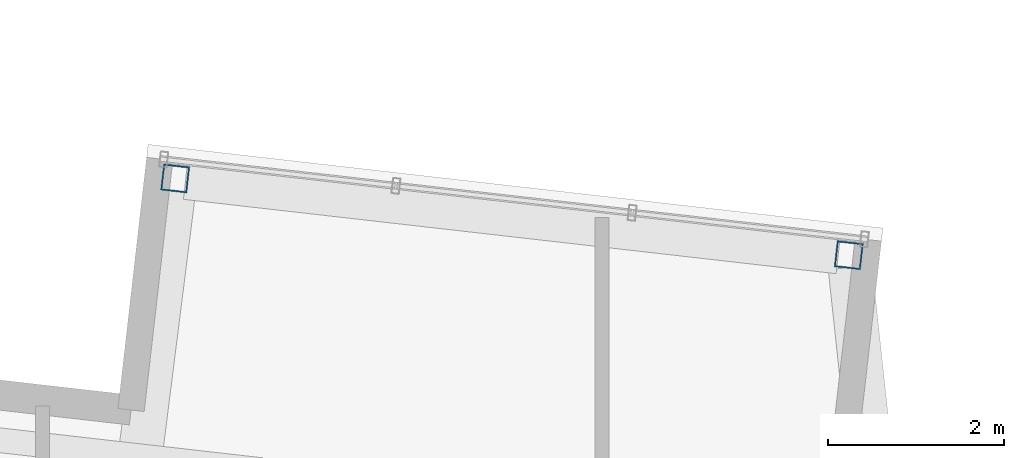
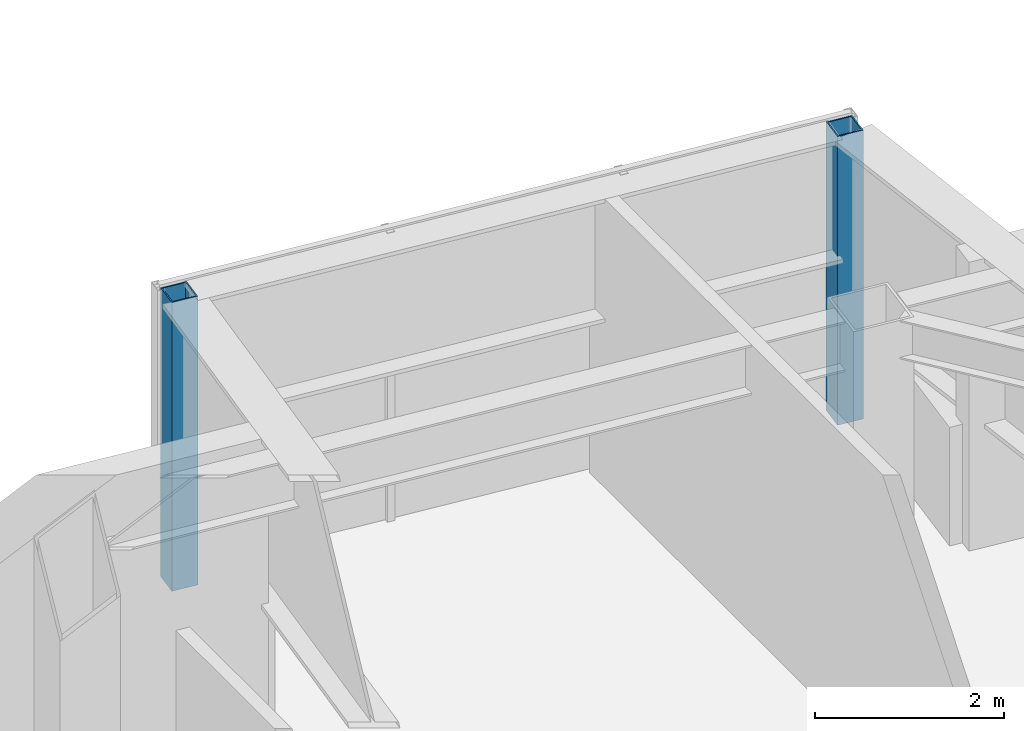
# One storey, part 2 of 23: 2 columns.
"""IFC4 building model written with IfcOpenShell, lengths in metres."""

from ifc_helpers import new_model, si_unit, direction, frame, origin, origin_2d, place, context, subcontext, project, spatial, hollow_rectangle, extrude, material, material_profile, profile_set, type_object, element, save


model = new_model("IFC4")

# Units and contexts
model_context = context("Model", 3, precision=1e-05, world=origin(), true_north=direction((0.0, 1.0)))
body_context = subcontext(model_context, "Body", "Model", "MODEL_VIEW")
ifc_project = project(units=[si_unit("LENGTHUNIT", "METRE"), si_unit("AREAUNIT", "SQUARE_METRE"), si_unit("VOLUMEUNIT", "CUBIC_METRE"), si_unit("PLANEANGLEUNIT", "RADIAN"), si_unit("MASSUNIT", "GRAM", prefix="KILO")], contexts=[model_context])

# Site, building, storey
site_placement = place(None, origin())
site = spatial("IfcSite", under=ifc_project, at=site_placement, CompositionType="ELEMENT")
building_placement = place(site_placement, origin())
building = spatial("IfcBuilding", under=site, at=building_placement, Name="Tavrogorsk Clinical Tower", CompositionType="ELEMENT")
storey_placement = place(building_placement, frame((0.0, 0.0, 113.39990234375)))
storey = spatial("IfcBuildingStorey", under=building, at=storey_placement, Name="L25", CompositionType="ELEMENT", Elevation=113.39990234375)

# Columns
ifc_material = material(Name="Structural steel S390", Category="steel")
ifc_material_profile = material_profile(ifc_material, hollow_rectangle(XDim=0.300048828125, YDim=0.300048828125, WallThickness=0.01611328125, at=origin_2d()), Name="SHS-300x300x16")
ifc_profile_set = profile_set([ifc_material_profile], Name="Structural steel S390")
column_type = type_object("IfcColumnType", Name="DayroomCol_SHS300", PredefinedType="COLUMN", material=ifc_profile_set)
for number, where, z_axis, x_axis, name in (
    (1, (12.594482421875, 24.51513671875, 0.0), (0.0, 0.0, 1.0), (0.993571855677, -0.113203213768, 0.0), "L25 Day-Room Box Column DRB-04-L"),
    (2, (20.244873046875, 23.6435546875, 0.0), (0.0, 0.0, 1.0), (0.993571855677, -0.113203213768, 0.0), "L25 Day-Room Box Column DRB-04-R"),
):
    element("IfcColumn", number, at=place(storey_placement, frame(where, z_axis=z_axis, x_axis=x_axis)), inside=storey, type_object=column_type, Name=name, PredefinedType="COLUMN", context=body_context, shape_type="SweptSolid", body=[
        extrude(hollow_rectangle(XDim=0.300048828125, YDim=0.300048828125, WallThickness=0.01611328125, at=origin_2d()), origin(), (0.0, 0.0, 1.0), 3.739990234375),
    ])

save(model, "model.ifc")
